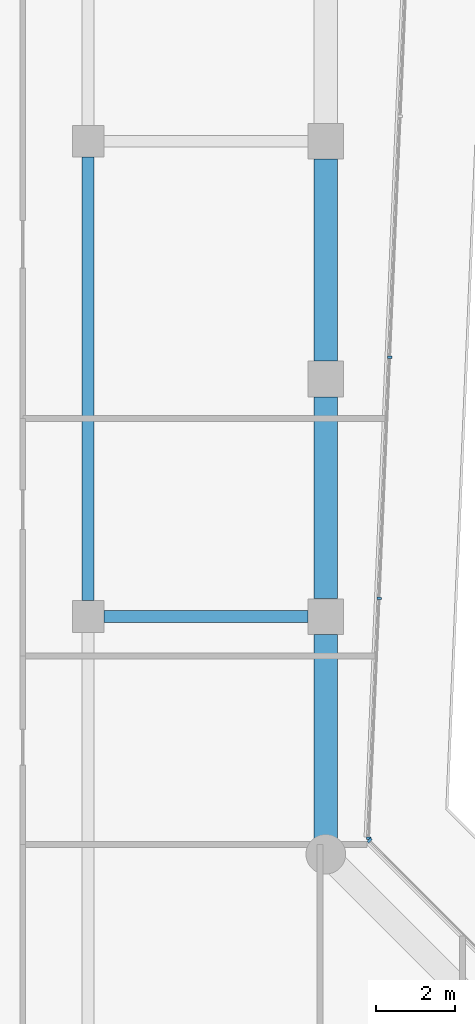
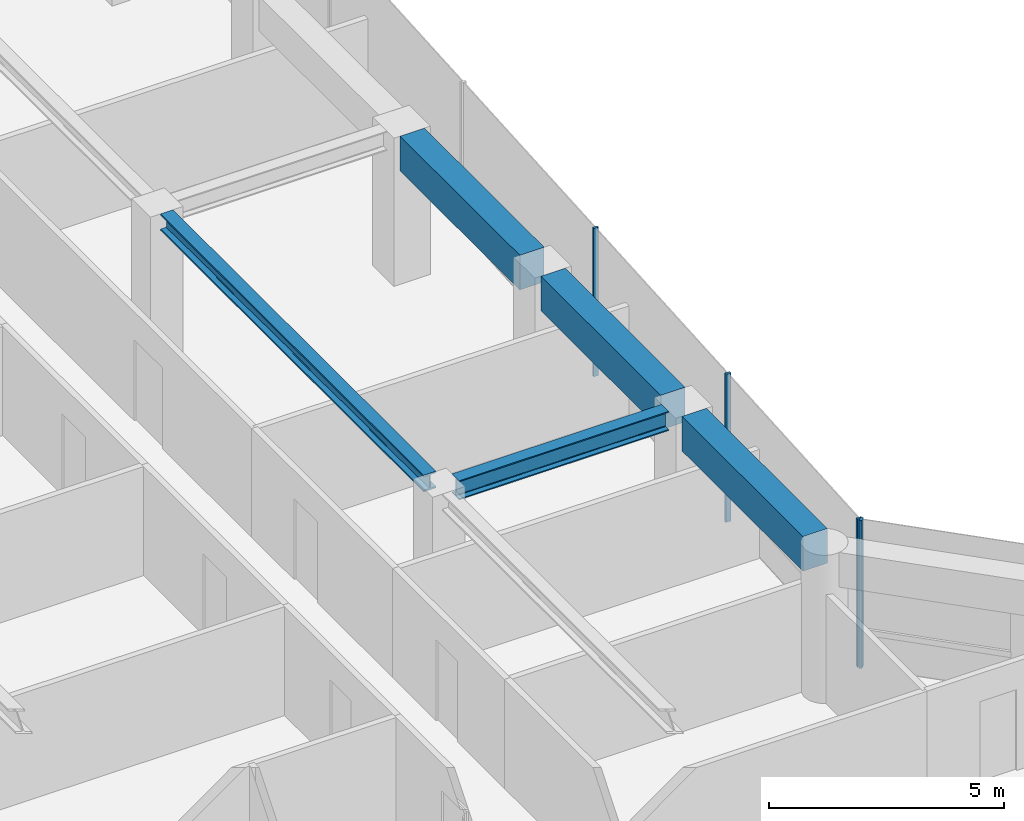
# One storey, part 11 of 25: 5 beams, 4 members, 2 elements without a shape of their own.
"""IFC4 building model written with IfcOpenShell, lengths in metres."""

from ifc_helpers import new_model, si_unit, direction, frame, origin, origin_2d, place, context, subcontext, project, spatial, rectangle, i_section, extrude, material, layer, layer_set, material_profile, profile_set, type_object, element, aggregate, save


model = new_model("IFC4")

# Units and contexts
model_context = context("Model", 3, precision=1e-05, world=origin(), true_north=direction((0.0, 1.0)))
body_context = subcontext(model_context, "Body", "Model", "MODEL_VIEW")
ifc_project = project(units=[si_unit("LENGTHUNIT", "METRE"), si_unit("AREAUNIT", "SQUARE_METRE"), si_unit("VOLUMEUNIT", "CUBIC_METRE"), si_unit("PLANEANGLEUNIT", "RADIAN"), si_unit("MASSUNIT", "GRAM", prefix="KILO")], contexts=[model_context])

# Site, building, storey
site_placement = place(None, origin())
site = spatial("IfcSite", under=ifc_project, at=site_placement, CompositionType="ELEMENT")
building_placement = place(site_placement, origin())
building = spatial("IfcBuilding", under=site, at=building_placement, Name="Welwitschia Terrace Campus", CompositionType="ELEMENT")
storey_placement = place(building_placement, frame((0.0, 0.0, 121.39990234375)))
storey = spatial("IfcBuildingStorey", under=building, at=storey_placement, Name="L27", CompositionType="ELEMENT", Elevation=121.39990234375)

# Beam
ifc_material_1 = material(Name="Steel S355", Category="steel")
ifc_material_profile_1 = material_profile(ifc_material_1, i_section(OverallWidth=0.306884765625, OverallDepth=0.431884765625, WebThickness=0.02099609375, FlangeThickness=0.0400390625, FilletRadius=0.027099609375, at=origin_2d()))
ifc_profile_set_1 = profile_set([ifc_material_profile_1], Name="Steel S355")
beam_type_1 = type_object("IfcBeamType", Name="Interior girder HE 400 M", PredefinedType="BEAM", material=ifc_profile_set_1)
beam_1_placement = place(storey_placement, frame((18.0, 40.400390625, 3.634033203125), z_axis=(0.0, 1.0, 0.0), x_axis=(-1.0, 0.0, 0.0)))
element("IfcBeam", 1, at=beam_1_placement, inside=storey, type_object=beam_type_1, Name="Girder GB3", PredefinedType="BEAM", context=body_context, shape_type="SweptSolid", body=[
    extrude(i_section(OverallWidth=0.306884765625, OverallDepth=0.431884765625, WebThickness=0.02099609375, FlangeThickness=0.0400390625, FilletRadius=0.027099609375, at=origin_2d()), origin(), (0.0, 0.0, 1.0), 11.19921875),
])

# Curtain wall, member
ifc_material_2 = material(Name="Bronze anodised aluminium", Category="aluminium")
ifc_layer = layer(ifc_material_2, 0.1201171875)
ifc_layer_set = layer_set([ifc_layer], Name="Bronze anodised aluminium")
curtain_wall_type = type_object("IfcCurtainWallType", Name="Curtain wall CW2 tower 6000", PredefinedType="NOTDEFINED", material=ifc_layer_set)
curtain_wall_1_placement = place(storey_placement, origin())
curtain_wall_1 = element("IfcCurtainWall", 2, at=curtain_wall_1_placement, inside=storey, type_object=curtain_wall_type, Name="CW L27.9.0", PredefinedType="NOTDEFINED")
ifc_material_3 = material(Name="Bronze anodised aluminium", Category="aluminium")
ifc_material_profile_2 = material_profile(ifc_material_3, rectangle(XDim=0.1201171875, YDim=0.06005859375, at=origin_2d()))
ifc_profile_set_2 = profile_set([ifc_material_profile_2], Name="Bronze anodised aluminium")
member_type = type_object("IfcMemberType", Name="Mullion 60x120", PredefinedType="MULLION", material=ifc_profile_set_2)
member_1_placement = place(storey_placement, frame((25.10546875, 34.35107421875, 0.0), z_axis=(0.0, 0.0, 1.0), x_axis=(-0.707106781187, -0.707106781187, 0.0)))
member_1 = element("IfcMember", 3, at=member_1_placement, type_object=member_type, Name="Mullion L27.9.0.1", PredefinedType="MULLION", context=body_context, shape_type="SweptSolid", body=[
    extrude(rectangle(XDim=0.1201171875, YDim=0.06005859375, at=origin_2d()), origin(), (0.0, 0.0, 1.0), 3.85009765625),
])
aggregate(curtain_wall_1, [member_1])

# Curtain wall, members
curtain_wall_2_placement = place(storey_placement, origin())
curtain_wall_2 = element("IfcCurtainWall", 4, at=curtain_wall_2_placement, inside=storey, type_object=curtain_wall_type, Name="CW L27.10.0", PredefinedType="NOTDEFINED")
member_2_placement = place(storey_placement, frame((25.085693359375, 34.40234375, 0.0), z_axis=(0.0, 0.0, 1.0), x_axis=(-0.999048221582, 0.043619387365, 0.0)))
member_2 = element("IfcMember", 5, at=member_2_placement, type_object=member_type, Name="Mullion L27.10.0.0", PredefinedType="MULLION", context=body_context, shape_type="SweptSolid", body=[
    extrude(rectangle(XDim=0.1201171875, YDim=0.06005859375, at=origin_2d()), origin(), (0.0, 0.0, 1.0), 3.85009765625),
])
member_3_placement = place(storey_placement, frame((25.35009765625, 40.458740234375, 0.0), z_axis=(0.0, 0.0, 1.0), x_axis=(-0.999048221582, 0.043619387365, 0.0)))
member_3 = element("IfcMember", 6, at=member_3_placement, type_object=member_type, Name="Mullion L27.10.0.1", PredefinedType="MULLION", context=body_context, shape_type="SweptSolid", body=[
    extrude(rectangle(XDim=0.1201171875, YDim=0.06005859375, at=origin_2d()), origin(), (0.0, 0.0, 1.0), 3.85009765625),
])
member_4_placement = place(storey_placement, frame((25.61572265625, 46.54541015625, 0.0), z_axis=(0.0, 0.0, 1.0), x_axis=(-0.999048221582, 0.043619387365, 0.0)))
member_4 = element("IfcMember", 7, at=member_4_placement, type_object=member_type, Name="Mullion L27.10.0.2", PredefinedType="MULLION", context=body_context, shape_type="SweptSolid", body=[
    extrude(rectangle(XDim=0.1201171875, YDim=0.06005859375, at=origin_2d()), origin(), (0.0, 0.0, 1.0), 3.85009765625),
])
aggregate(curtain_wall_2, [member_2, member_3, member_4])

# Beams
ifc_material_4 = material(Name="Steel S355", Category="steel")
ifc_material_profile_3 = material_profile(ifc_material_4, i_section(OverallWidth=0.300048828125, OverallDepth=0.5, WebThickness=0.014404296875, FlangeThickness=0.028076171875, FilletRadius=0.027099609375, at=origin_2d()))
ifc_profile_set_3 = profile_set([ifc_material_profile_3], Name="Steel S355")
beam_type_2 = type_object("IfcBeamType", Name="Primary beam HE 500 B", PredefinedType="BEAM", material=ifc_profile_set_3)
beam_2_placement = place(storey_placement, frame((23.549560546875, 40.0, 3.60009765625), z_axis=(-1.0, 0.0, 0.0), x_axis=(0.0, -1.0, 0.0)))
element("IfcBeam", 8, at=beam_2_placement, inside=storey, type_object=beam_type_2, Name="Primary beam PB3", PredefinedType="BEAM", context=body_context, shape_type="SweptSolid", body=[
    extrude(i_section(OverallWidth=0.300048828125, OverallDepth=0.5, WebThickness=0.014404296875, FlangeThickness=0.028076171875, FilletRadius=0.027099609375, at=origin_2d()), origin(), (0.0, 0.0, 1.0), 5.149169921875),
])
ifc_material_5 = material(Name="Concrete C60/75", Category="concrete")
ifc_material_profile_4 = material_profile(ifc_material_5, rectangle(XDim=0.60009765625, YDim=0.89990234375, at=origin_2d()))
ifc_profile_set_4 = profile_set([ifc_material_profile_4], Name="Concrete C60/75")
beam_type_3 = type_object("IfcBeamType", Name="Ring spandrel 600x900", PredefinedType="SPANDREL", material=ifc_profile_set_4)
beam_3_placement = place(storey_placement, frame((24.0, 34.400390625, 3.400146484375), z_axis=(0.0, 1.0, 0.0), x_axis=(-1.0, 0.0, 0.0)))
element("IfcBeam", 9, at=beam_3_placement, inside=storey, type_object=beam_type_3, Name="Spandrel SP2", PredefinedType="SPANDREL", context=body_context, shape_type="SweptSolid", body=[
    extrude(rectangle(XDim=0.60009765625, YDim=0.89990234375, at=origin_2d()), origin(), (0.0, 0.0, 1.0), 5.149169921875),
])
for number, where, z_axis, x_axis, name in (
    (10, (24.0, 40.450439453125, 3.400146484375), (0.0, 1.0, 0.0), (-1.0, 0.0, 0.0), "Spandrel SP2"),
    (11, (24.0, 46.450439453125, 3.400146484375), (0.0, 1.0, 0.0), (-1.0, 0.0, 0.0), "Spandrel SP2"),
):
    element("IfcBeam", number, at=place(storey_placement, frame(where, z_axis=z_axis, x_axis=x_axis)), inside=storey, type_object=beam_type_3, Name=name, PredefinedType="SPANDREL", context=body_context, shape_type="SweptSolid", body=[
        extrude(rectangle(XDim=0.60009765625, YDim=0.89990234375, at=origin_2d()), origin(), (0.0, 0.0, 1.0), 5.09912109375),
    ])

save(model, "model.ifc")
